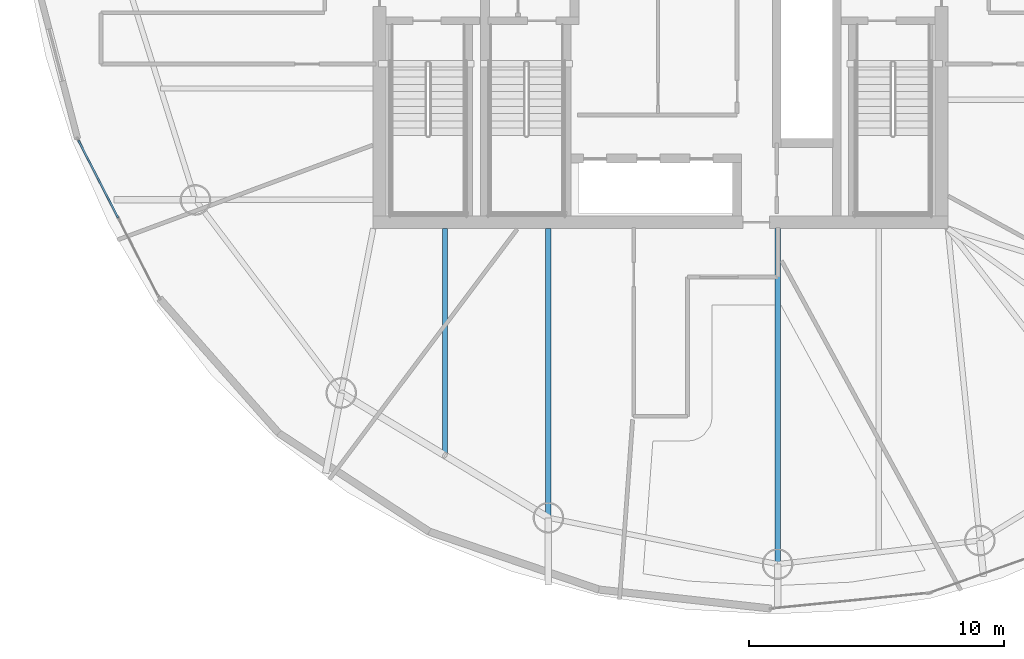
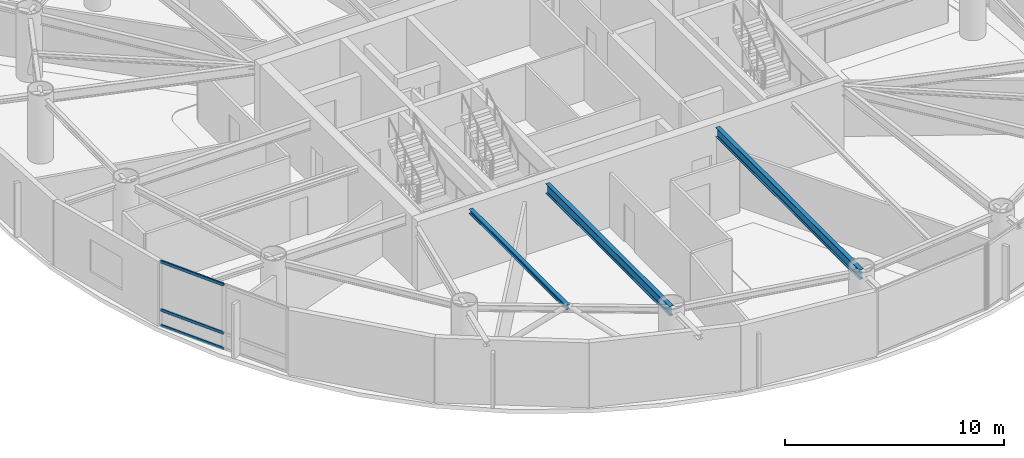
# One storey, part 5 of 23: 3 beams, 3 members, 1 element without a shape of its own.
"""IFC4 building model written with IfcOpenShell, lengths in metres."""

from ifc_helpers import new_model, si_unit, direction, frame, origin, origin_2d, place, context, subcontext, project, spatial, hollow_rectangle, i_section, extrude, material, layer, layer_set, material_profile, profile_set, type_object, element, aggregate, save


model = new_model("IFC4")

# Units and contexts
model_context = context("Model", 3, precision=1e-05, world=origin(), true_north=direction((0.0, 1.0)))
body_context = subcontext(model_context, "Body", "Model", "MODEL_VIEW")
ifc_project = project(units=[si_unit("LENGTHUNIT", "METRE"), si_unit("AREAUNIT", "SQUARE_METRE"), si_unit("VOLUMEUNIT", "CUBIC_METRE"), si_unit("PLANEANGLEUNIT", "RADIAN"), si_unit("MASSUNIT", "GRAM", prefix="KILO")], contexts=[model_context])

# Site, building, storey
site_placement = place(None, origin())
site = spatial("IfcSite", under=ifc_project, at=site_placement, CompositionType="ELEMENT")
building_placement = place(site_placement, origin())
building = spatial("IfcBuilding", under=site, at=building_placement, Name="Bramvorn Convention Spire", CompositionType="ELEMENT")
storey_placement = place(building_placement, frame((0.0, 0.0, 194.300048828125)))
storey = spatial("IfcBuildingStorey", under=building, at=storey_placement, Name="L49", CompositionType="ELEMENT", Elevation=194.300048828125)

# Beams
ifc_material_1 = material(Name="Steel CSA G40.21 Grade 350 (350W)", Category="steel")
ifc_material_profile_1 = material_profile(ifc_material_1, i_section(OverallWidth=0.201904296875, OverallDepth=0.2470703125, WebThickness=0.00732421875, FlangeThickness=0.010986328125, FilletRadius=0.011962890625, at=origin_2d()))
ifc_profile_set_1 = profile_set([ifc_material_profile_1], Name="Steel CSA G40.21 Grade 350 (350W) - W250X49")
beam_type_1 = type_object("IfcBeamType", Name="BM-W250X49", PredefinedType="JOIST", material=ifc_profile_set_1)
beam_1_placement = place(storey_placement, frame((29.554443359375, 18.550048828125, 3.496337890625), z_axis=(0.0, -1.0, 0.0), x_axis=(1.0, 0.0, 0.0)))
element("IfcBeam", 1, at=beam_1_placement, inside=storey, type_object=beam_type_1, Name="L49 composite floor joist 13", PredefinedType="JOIST", context=body_context, shape_type="SweptSolid", body=[
    extrude(i_section(OverallWidth=0.201904296875, OverallDepth=0.2470703125, WebThickness=0.00732421875, FlangeThickness=0.010986328125, FilletRadius=0.011962890625, at=origin_2d()), origin(), (0.0, 0.0, 1.0), 8.878662109375),
])
ifc_material_profile_2 = material_profile(ifc_material_1, i_section(OverallWidth=0.2119140625, OverallDepth=0.5439453125, WebThickness=0.01318359375, FlangeThickness=0.021240234375, FilletRadius=0.01904296875, at=origin_2d()))
ifc_profile_set_2 = profile_set([ifc_material_profile_2], Name="Steel CSA G40.21 Grade 350 (350W) - W530X123")
beam_type_2 = type_object("IfcBeamType", Name="BM-W530X123", PredefinedType="BEAM", material=ifc_profile_set_2)
beam_2_placement = place(storey_placement, frame((33.61083984375, 18.550048828125, 3.347900390625), z_axis=(0.0, -1.0, 0.0), x_axis=(1.0, 0.0, 0.0)))
element("IfcBeam", 2, at=beam_2_placement, inside=storey, type_object=beam_type_2, Name="L49 radial floor girder MC14", PredefinedType="BEAM", context=body_context, shape_type="SweptSolid", body=[
    extrude(i_section(OverallWidth=0.2119140625, OverallDepth=0.5439453125, WebThickness=0.01318359375, FlangeThickness=0.021240234375, FilletRadius=0.01904296875, at=origin_2d()), origin(), (0.0, 0.0, 1.0), 11.322265625),
])
beam_3_placement = place(storey_placement, frame((42.583740234375, 18.550048828125, 3.347900390625), z_axis=(0.0, -1.0, 0.0), x_axis=(1.0, 0.0, 0.0)))
element("IfcBeam", 3, at=beam_3_placement, inside=storey, type_object=beam_type_2, Name="L49 radial floor girder MC15", PredefinedType="BEAM", context=body_context, shape_type="SweptSolid", body=[
    extrude(i_section(OverallWidth=0.2119140625, OverallDepth=0.5439453125, WebThickness=0.01318359375, FlangeThickness=0.021240234375, FilletRadius=0.01904296875, at=origin_2d()), origin(), (0.0, 0.0, 1.0), 13.138427734375),
])

# Curtain wall, members
ifc_material_2 = material(Name="Anodised Bronze Unitised Curtain Wall", Category="aluminium")
ifc_layer = layer(ifc_material_2, 0.179931640625)
ifc_layer_set = layer_set([ifc_layer], Name="Anodised Bronze Unitised Curtain Wall - CW-OFF-FRIT")
curtain_wall_type = type_object("IfcCurtainWallType", Name="CW-OFF-FRIT", PredefinedType="USERDEFINED", material=ifc_layer_set)
curtain_wall_placement = place(storey_placement, origin())
curtain_wall = element("IfcCurtainWall", 4, at=curtain_wall_placement, inside=storey, type_object=curtain_wall_type, Name="L49 fritted glass curtain wall 17", ObjectType="UNITISED CURTAIN WALL", PredefinedType="USERDEFINED")
ifc_material_3 = material(Name="Anodised Bronze Aluminium 6063-T6", Category="aluminium")
ifc_material_profile_3 = material_profile(ifc_material_3, hollow_rectangle(XDim=0.080078125, YDim=0.159912109375, WallThickness=0.00390625, InnerFilletRadius=0.0009765625, OuterFilletRadius=0.00390625, at=origin_2d()))
ifc_profile_set_3 = profile_set([ifc_material_profile_3], Name="Anodised Bronze Aluminium 6063-T6 - CWT80X160")
member_type = type_object("IfcMemberType", Name="CW-TRN-150", PredefinedType="USERDEFINED", material=ifc_profile_set_3)
member_1_placement = place(storey_placement, frame((16.7646484375, 18.96923828125, 0.030029296875), z_axis=(-0.456444219458, 0.889752029794, 0.0), x_axis=(-0.889752029794, -0.456444219458, 0.0)))
member_1 = element("IfcMember", 5, at=member_1_placement, type_object=member_type, Name="CW3 transom 2.1", ObjectType="TRANSOM", PredefinedType="USERDEFINED", context=body_context, shape_type="SweptSolid", body=[
    extrude(hollow_rectangle(XDim=0.080078125, YDim=0.159912109375, WallThickness=0.00390625, InnerFilletRadius=0.0009765625, OuterFilletRadius=0.00390625, at=origin_2d()), origin(), (0.0, 0.0, 1.0), 3.4189453125),
])
member_2_placement = place(storey_placement, frame((16.7646484375, 18.96923828125, 0.89990234375), z_axis=(-0.456444219458, 0.889752029794, 0.0), x_axis=(-0.889752029794, -0.456444219458, 0.0)))
member_2 = element("IfcMember", 6, at=member_2_placement, type_object=member_type, Name="CW3 transom 2.2", ObjectType="TRANSOM", PredefinedType="USERDEFINED", context=body_context, shape_type="SweptSolid", body=[
    extrude(hollow_rectangle(XDim=0.080078125, YDim=0.159912109375, WallThickness=0.00390625, InnerFilletRadius=0.0009765625, OuterFilletRadius=0.00390625, at=origin_2d()), origin(), (0.0, 0.0, 1.0), 3.4189453125),
])
member_3_placement = place(storey_placement, frame((16.7646484375, 18.96923828125, 3.58984375), z_axis=(-0.456444219458, 0.889752029794, 0.0), x_axis=(-0.889752029794, -0.456444219458, 0.0)))
member_3 = element("IfcMember", 7, at=member_3_placement, type_object=member_type, Name="CW3 transom 2.3", ObjectType="TRANSOM", PredefinedType="USERDEFINED", context=body_context, shape_type="SweptSolid", body=[
    extrude(hollow_rectangle(XDim=0.080078125, YDim=0.159912109375, WallThickness=0.00390625, InnerFilletRadius=0.0009765625, OuterFilletRadius=0.00390625, at=origin_2d()), origin(), (0.0, 0.0, 1.0), 3.4189453125),
])
aggregate(curtain_wall, [member_1, member_2, member_3])

save(model, "model.ifc")
